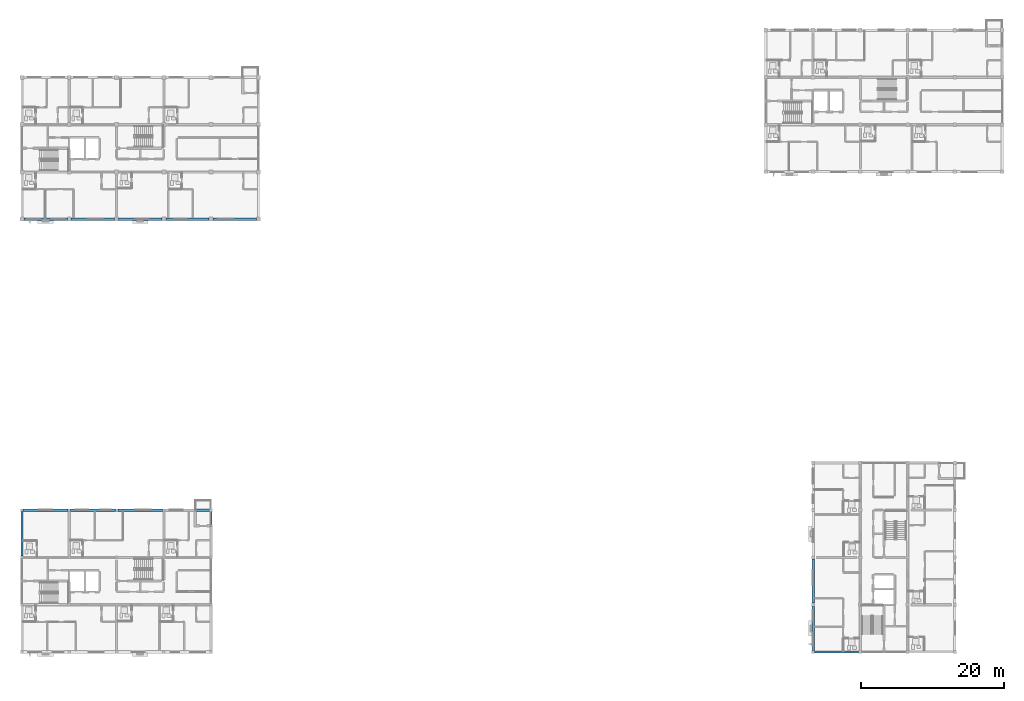
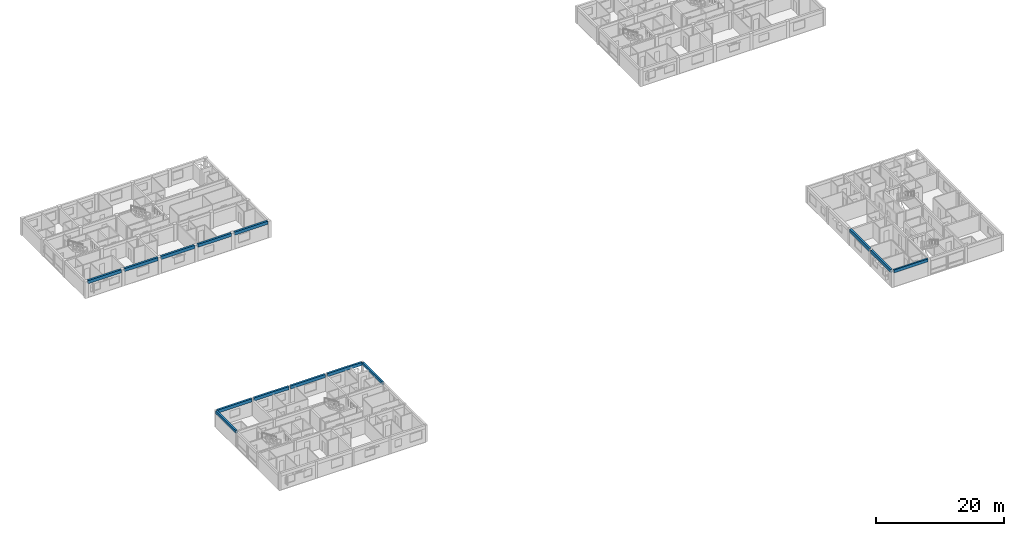
# One storey, part 11 of 53: 14 beams.
"""IFC4 building model written with IfcOpenShell, lengths in metres."""

from ifc_helpers import new_model, si_unit, direction, frame, origin, origin_2d, place, context, subcontext, project, spatial, rectangle, extrude, material, material_profile, profile_set, type_object, element, save


model = new_model("IFC4")

# Units and contexts
model_context = context("Model", 3, precision=1e-05, world=origin(), true_north=direction((0.0, 1.0)))
body_context = subcontext(model_context, "Body", "Model", "MODEL_VIEW")
ifc_project = project(units=[si_unit("LENGTHUNIT", "METRE"), si_unit("AREAUNIT", "SQUARE_METRE"), si_unit("VOLUMEUNIT", "CUBIC_METRE"), si_unit("PLANEANGLEUNIT", "RADIAN"), si_unit("MASSUNIT", "GRAM", prefix="KILO")], contexts=[model_context])

# Site, building, storey
site_placement = place(None, origin())
site = spatial("IfcSite", under=ifc_project, at=site_placement, CompositionType="ELEMENT")
building_placement = place(site_placement, origin())
building = spatial("IfcBuilding", under=site, at=building_placement, Name="Kernevlak Ridge Housing Community", CompositionType="ELEMENT")
storey_placement = place(building_placement, frame((0.0, 0.0, 24.39990234375)))
storey = spatial("IfcBuildingStorey", under=building, at=storey_placement, Name="L07", CompositionType="ELEMENT", Elevation=24.39990234375)

# Beams
ifc_material = material(Name="Concrete C35/45", Category="concrete")
ifc_material_profile_1 = material_profile(ifc_material, rectangle(XDim=0.300048828125, YDim=0.550048828125, at=origin_2d()), Name="RC 300x550")
ifc_profile_set_1 = profile_set([ifc_material_profile_1], Name="Concrete C35/45")
beam_type_1 = type_object("IfcBeamType", Name="SP-01", PredefinedType="SPANDREL", material=ifc_profile_set_1)
beam_1_placement = place(storey_placement, frame((126.22509765625, 15.60009765625, 2.925048828125), z_axis=(1.0, 0.0, 0.0), x_axis=(0.0, 1.0, 0.0)))
element("IfcBeam", 1, at=beam_1_placement, inside=storey, type_object=beam_type_1, Name="Beam SP-01 L07 1172", PredefinedType="SPANDREL", context=body_context, shape_type="SweptSolid", body=[
    extrude(rectangle(XDim=0.300048828125, YDim=0.550048828125, at=origin_2d()), origin(), (0.0, 0.0, 1.0), 6.14990234375),
])
for number, where, z_axis, x_axis, name in (
    (2, (15.60009765625, 28.97509765625, 2.925048828125), (0.0, 1.0, 0.0), (-1.0, 0.0, 0.0), "Beam SP-01 L07 1494"),
    (3, (42.0, 28.97509765625, 2.925048828125), (0.0, 1.0, 0.0), (-1.0, 0.0, 0.0), "Beam SP-01 L07 1497"),
):
    element("IfcBeam", number, at=place(storey_placement, frame(where, z_axis=z_axis, x_axis=x_axis)), inside=storey, type_object=beam_type_1, Name=name, PredefinedType="SPANDREL", context=body_context, shape_type="SweptSolid", body=[
        extrude(rectangle(XDim=0.300048828125, YDim=0.550048828125, at=origin_2d()), origin(), (0.0, 0.0, 1.0), 6.25),
    ])
ifc_material_profile_2 = material_profile(ifc_material, rectangle(XDim=0.35009765625, YDim=0.60009765625, at=origin_2d()), Name="RC 350x600")
ifc_profile_set_2 = profile_set([ifc_material_profile_2], Name="Concrete C35/45")
beam_type_2 = type_object("IfcBeamType", Name="SP-03", PredefinedType="SPANDREL", material=ifc_profile_set_2)
beam_2_placement = place(storey_placement, frame((15.875, 76.0, 2.900146484375), z_axis=(1.0, 0.0, 0.0), x_axis=(0.0, 1.0, 0.0)))
element("IfcBeam", 4, at=beam_2_placement, inside=storey, type_object=beam_type_2, Name="Beam SP-03 L07 239", PredefinedType="SPANDREL", context=body_context, shape_type="SweptSolid", body=[
    extrude(rectangle(XDim=0.35009765625, YDim=0.60009765625, at=origin_2d()), origin(), (0.0, 0.0, 1.0), 6.050048828125),
])
beam_3_placement = place(storey_placement, frame((22.47509765625, 76.0, 2.900146484375), z_axis=(1.0, 0.0, 0.0), x_axis=(0.0, 1.0, 0.0)))
element("IfcBeam", 5, at=beam_3_placement, inside=storey, type_object=beam_type_2, Name="Beam SP-03 L07 240", PredefinedType="SPANDREL", context=body_context, shape_type="SweptSolid", body=[
    extrude(rectangle(XDim=0.35009765625, YDim=0.60009765625, at=origin_2d()), origin(), (0.0, 0.0, 1.0), 6.0498046875),
])
for number, where, z_axis, x_axis, name in (
    (6, (29.074951171875, 76.0, 2.900146484375), (1.0, 0.0, 0.0), (0.0, 1.0, 0.0), "Beam SP-03 L07 241"),
    (7, (35.675048828125, 76.0, 2.900146484375), (1.0, 0.0, 0.0), (0.0, 1.0, 0.0), "Beam SP-03 L07 242"),
    (8, (42.27490234375, 76.0, 2.900146484375), (1.0, 0.0, 0.0), (0.0, 1.0, 0.0), "Beam SP-03 L07 243"),
):
    element("IfcBeam", number, at=place(storey_placement, frame(where, z_axis=z_axis, x_axis=x_axis)), inside=storey, type_object=beam_type_2, Name=name, PredefinedType="SPANDREL", context=body_context, shape_type="SweptSolid", body=[
        extrude(rectangle(XDim=0.35009765625, YDim=0.60009765625, at=origin_2d()), origin(), (0.0, 0.0, 1.0), 6.050048828125),
    ])
beam_4_placement = place(storey_placement, frame((126.0, 15.824951171875, 2.900146484375), z_axis=(0.0, 1.0, 0.0), x_axis=(-1.0, 0.0, 0.0)))
element("IfcBeam", 9, at=beam_4_placement, inside=storey, type_object=beam_type_2, Name="Beam SP-03 L07 1156", PredefinedType="SPANDREL", context=body_context, shape_type="SweptSolid", body=[
    extrude(rectangle(XDim=0.35009765625, YDim=0.60009765625, at=origin_2d()), origin(), (0.0, 0.0, 1.0), 6.150146484375),
])
beam_5_placement = place(storey_placement, frame((126.0, 22.425048828125, 2.900146484375), z_axis=(0.0, 1.0, 0.0), x_axis=(-1.0, 0.0, 0.0)))
element("IfcBeam", 10, at=beam_5_placement, inside=storey, type_object=beam_type_2, Name="Beam SP-03 L07 1157", PredefinedType="SPANDREL", context=body_context, shape_type="SweptSolid", body=[
    extrude(rectangle(XDim=0.35009765625, YDim=0.60009765625, at=origin_2d()), origin(), (0.0, 0.0, 1.0), 6.14990234375),
])
for number, where, z_axis, x_axis, name in (
    (11, (15.77490234375, 35.39990234375, 2.900146484375), (1.0, 0.0, 0.0), (0.0, 1.0, 0.0), "Beam SP-03 L07 1488"),
    (12, (22.375, 35.39990234375, 2.900146484375), (1.0, 0.0, 0.0), (0.0, 1.0, 0.0), "Beam SP-03 L07 1489"),
    (13, (28.97509765625, 35.39990234375, 2.900146484375), (1.0, 0.0, 0.0), (0.0, 1.0, 0.0), "Beam SP-03 L07 1490"),
    (14, (35.574951171875, 35.39990234375, 2.900146484375), (1.0, 0.0, 0.0), (0.0, 1.0, 0.0), "Beam SP-03 L07 1491"),
):
    element("IfcBeam", number, at=place(storey_placement, frame(where, z_axis=z_axis, x_axis=x_axis)), inside=storey, type_object=beam_type_2, Name=name, PredefinedType="SPANDREL", context=body_context, shape_type="SweptSolid", body=[
        extrude(rectangle(XDim=0.35009765625, YDim=0.60009765625, at=origin_2d()), origin(), (0.0, 0.0, 1.0), 6.25),
    ])

save(model, "model.ifc")
